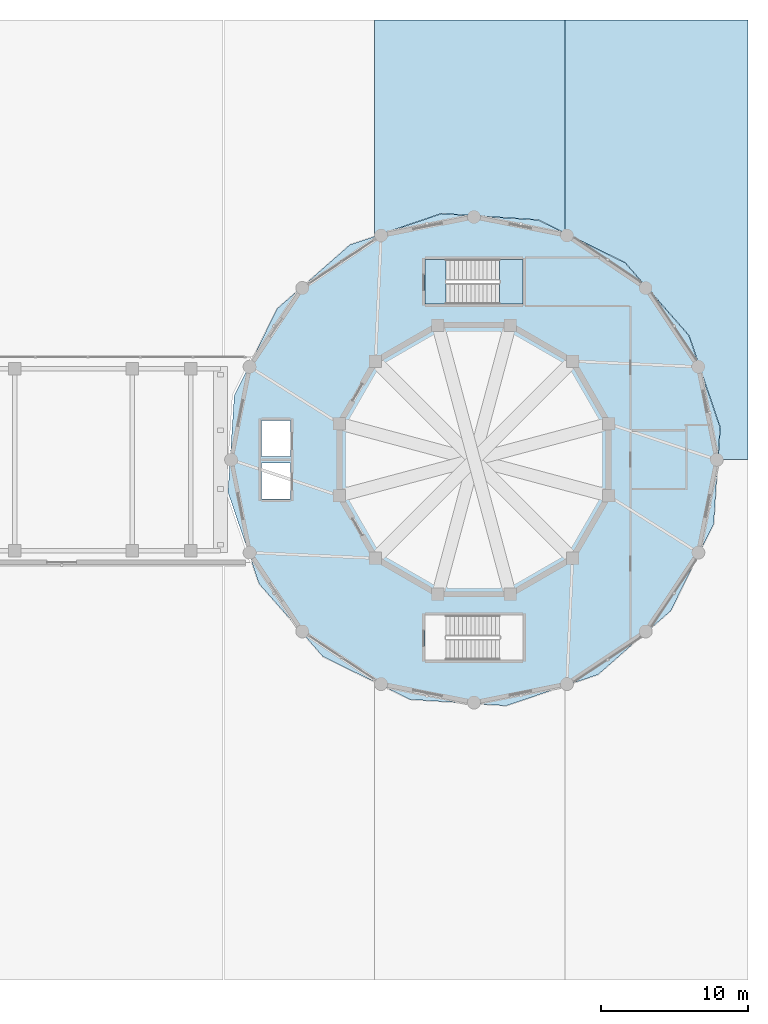
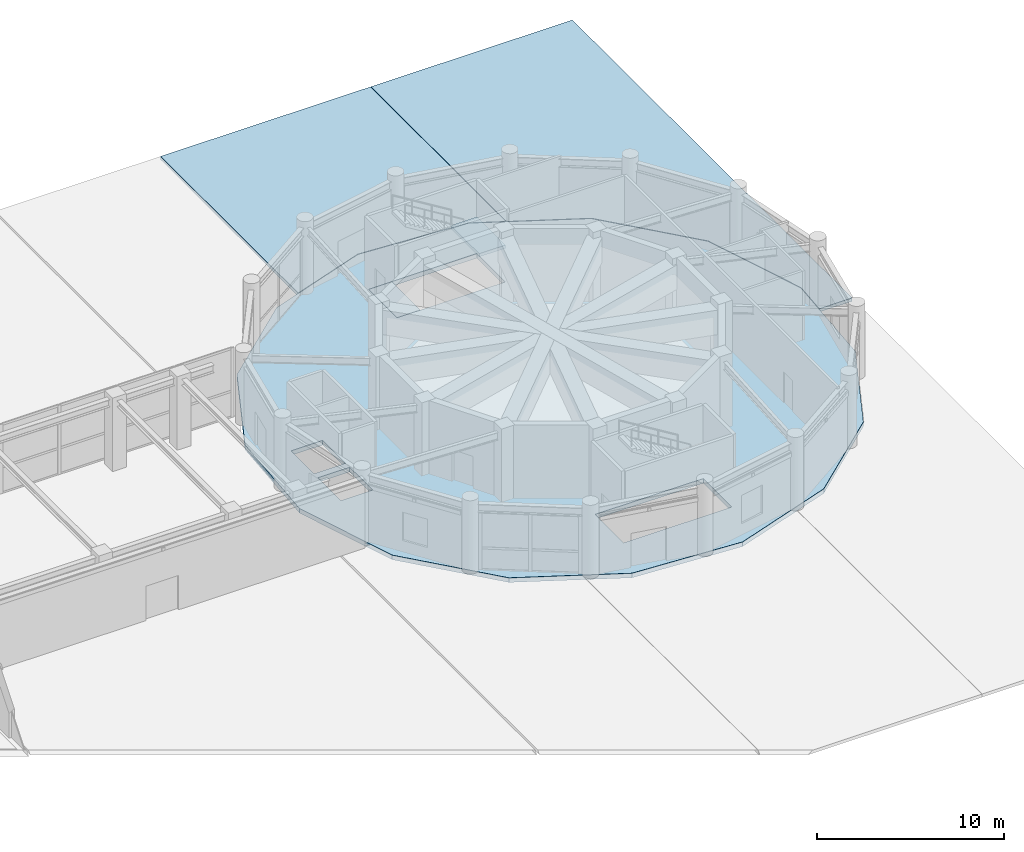
# One storey, part 22 of 40: 5 slabs, 1 element without a shape of its own.
"""IFC4 building model written with IfcOpenShell, lengths in metres."""

from ifc_helpers import new_model, si_unit, derived_unit, direction, frame, origin, place, context, subcontext, project, spatial, polyline, outline, extrude, material, layer, layer_set, type_object, element, aggregate, save


model = new_model("IFC4")

# Units and contexts
model_context = context("Model", 3, precision=1e-05, world=origin(), true_north=direction((0.0, 1.0)))
body_context = subcontext(model_context, "Body", "Model", "MODEL_VIEW")
ifc_project = project(units=[si_unit("LENGTHUNIT", "METRE"), si_unit("AREAUNIT", "SQUARE_METRE"), si_unit("VOLUMEUNIT", "CUBIC_METRE"), si_unit("PLANEANGLEUNIT", "RADIAN"), si_unit("MASSUNIT", "GRAM", prefix="KILO"), derived_unit("THERMALTRANSMITTANCEUNIT", [(si_unit("POWERUNIT", "WATT"), 1), (si_unit("LENGTHUNIT", "METRE"), -2), (si_unit("THERMODYNAMICTEMPERATUREUNIT", "KELVIN"), -1)])], contexts=[model_context])

# Site, building, storey
site_placement = place(None, origin())
site = spatial("IfcSite", under=ifc_project, at=site_placement, CompositionType="ELEMENT")
building_placement = place(site_placement, origin())
building = spatial("IfcBuilding", under=site, at=building_placement, Name="Korsvarv Bourse and Concert Hall", CompositionType="ELEMENT")
storey_placement = place(building_placement, origin())
storey = spatial("IfcBuildingStorey", under=building, at=storey_placement, Name="L00", CompositionType="ELEMENT", Elevation=0.0)

# Slabs
ifc_material_1 = material(Name="Concrete C45/55", Category="concrete")
ifc_layer_1 = layer(ifc_material_1, 0.300048828125)
ifc_layer_set_1 = layer_set([ifc_layer_1], Name="Concrete C45/55")
slab_type_1 = type_object("IfcSlabType", Name="SLB-CH0", PredefinedType="FLOOR", material=ifc_layer_set_1)
slab_1_placement = place(storey_placement, frame((0.0, 0.0, -0.300048828125)))
element("IfcSlab", 1, at=slab_1_placement, inside=storey, type_object=slab_type_1, Name="L00 Concert Hall floor slab", PredefinedType="FLOOR", context=body_context, shape_type="SweptSolid", body=[
    extrude(outline(polyline([(123.572509765625, 38.2080078125), (121.45068359375, 44.45849609375), (117.098388671875, 49.42138671875), (111.178466796875, 52.3408203125), (104.591796875, 52.7724609375), (98.34130859375, 50.650634765625), (93.378662109375, 46.298583984375), (90.459228515625, 40.37841796875), (90.027587890625, 33.7919921875), (92.1494140625, 27.54150390625), (96.50146484375, 22.57861328125), (102.42138671875, 19.6591796875), (109.008056640625, 19.2275390625), (115.258544921875, 21.349365234375), (120.22119140625, 25.701416015625), (123.140625, 31.62158203125), (123.572509765625, 38.2080078125)]), holes=[polyline([(103.449951171875, 46.60009765625), (110.14990234375, 46.60009765625), (110.14990234375, 49.659912109375), (103.449951171875, 49.659912109375), (103.449951171875, 46.60009765625)]), polyline([(103.449951171875, 22.340087890625), (110.14990234375, 22.340087890625), (110.14990234375, 25.39990234375), (103.449951171875, 25.39990234375), (103.449951171875, 22.340087890625)]), polyline([(92.320068359375, 36.219970703125), (94.280029296875, 36.219970703125), (94.280029296875, 38.679931640625), (92.320068359375, 38.679931640625), (92.320068359375, 36.219970703125)]), polyline([(92.320068359375, 33.320068359375), (94.280029296875, 33.320068359375), (94.280029296875, 35.780029296875), (92.320068359375, 35.780029296875), (92.320068359375, 33.320068359375)])]), origin(), (0.0, 0.0, 1.0), 0.300048828125),
])
ifc_material_2 = material(Name="Precast concrete C45/55", Category="concrete")
ifc_layer_2 = layer(ifc_material_2, 0.199951171875)
ifc_layer_set_2 = layer_set([ifc_layer_2], Name="Precast concrete C45/55")
slab_type_2 = type_object("IfcSlabType", Name="SLB-FLND-T", PredefinedType="LANDING", material=ifc_layer_set_2)
slab_2_placement = place(storey_placement, frame((0.0, 0.0, -0.199951171875)))
element("IfcSlab", 2, at=slab_2_placement, inside=storey, type_object=slab_type_2, Name="L00 Stair ST-CH1 Floor Landing Slab", PredefinedType="LANDING", context=body_context, shape_type="SweptSolid", body=[
    extrude(outline(polyline([(103.449951171875, 46.60009765625), (104.89990234375, 46.60009765625), (104.89990234375, 49.659912109375), (103.449951171875, 49.659912109375), (103.449951171875, 46.60009765625)])), origin(), (0.0, 0.0, 1.0), 0.199951171875),
])
ifc_material_3 = material(Name="Gothenburg granite paving on Concrete C35/45", Category="concrete")
ifc_layer_3 = layer(ifc_material_3, 0.2099609375)
ifc_layer_set_3 = layer_set([ifc_layer_3], Name="Gothenburg granite paving on Concrete C35/45")
slab_type_3 = type_object("IfcSlabType", Name="SLB-PAV", PredefinedType="USERDEFINED", material=ifc_layer_set_3)
slab_3_placement = place(storey_placement, frame((0.0, 0.0, -0.2099609375)))
element("IfcSlab", 3, at=slab_3_placement, inside=storey, type_object=slab_type_3, Name="L00 Korsvarv Public Plaza Granite Deck NE210", ObjectType="PAVING", PredefinedType="USERDEFINED", context=body_context, shape_type="SweptSolid", body=[
    extrude(outline(polyline([(100.02001953125, 65.97998046875), (113.0, 65.97998046875), (113.0, 51.464599609375), (111.183837890625, 52.3603515625), (104.589111328125, 52.79248046875), (100.02001953125, 51.24169921875), (100.02001953125, 65.97998046875)])), origin(), (0.0, 0.0, 1.0), 0.2099609375),
])
slab_4_placement = place(storey_placement, frame((0.0, 0.0, -0.2099609375)))
element("IfcSlab", 4, at=slab_4_placement, inside=storey, type_object=slab_type_3, Name="L00 Korsvarv Public Plaza Granite Deck NE311", ObjectType="PAVING", PredefinedType="USERDEFINED", context=body_context, shape_type="SweptSolid", body=[
    extrude(outline(polyline([(113.02001953125, 65.97998046875), (125.47998046875, 65.97998046875), (125.47998046875, 36.02001953125), (123.448974609375, 36.02001953125), (123.592529296875, 38.210693359375), (121.468505859375, 44.46875), (117.11083984375, 49.4375), (113.02001953125, 51.454833984375), (113.02001953125, 65.97998046875)])), origin(), (0.0, 0.0, 1.0), 0.2099609375),
])

# Stair, slab
stair_type = type_object("IfcStairType", Name="STR-TYPE-07", PredefinedType="HALF_TURN_STAIR", material=ifc_material_2)
stair_placement = place(storey_placement, origin())
stair = element("IfcStair", 5, at=stair_placement, inside=storey, type_object=stair_type, Name="L00 Concert Hall North Exit Stair ST-CH1", PredefinedType="HALF_TURN_STAIR")
ifc_layer_4 = layer(ifc_material_2, 0.199951171875)
ifc_layer_set_4 = layer_set([ifc_layer_4], Name="Precast concrete C45/55")
slab_type_4 = type_object("IfcSlabType", Name="SLB-ST-LND", PredefinedType="LANDING", material=ifc_layer_set_4)
slab_5_placement = place(storey_placement, frame((0.0, 0.0, 2.199951171875)))
slab_5 = element("IfcSlab", 6, at=slab_5_placement, type_object=slab_type_4, Name="ST-CH1 landing 1", PredefinedType="LANDING", context=body_context, shape_type="SweptSolid", body=[
    extrude(outline(polyline([(108.5400390625, 46.60009765625), (110.14990234375, 46.60009765625), (110.14990234375, 49.659912109375), (108.5400390625, 49.659912109375), (108.5400390625, 46.60009765625)])), origin(), (0.0, 0.0, 1.0), 0.199951171875),
])
aggregate(stair, [slab_5])

save(model, "model.ifc")
